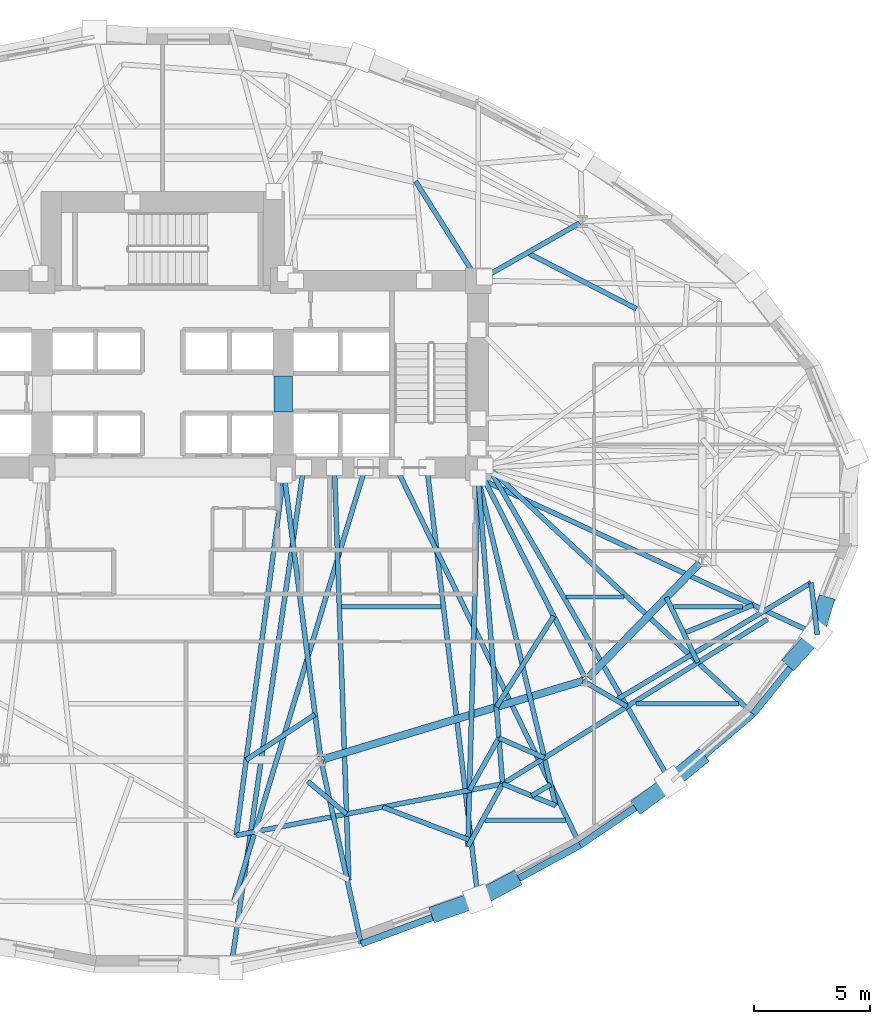
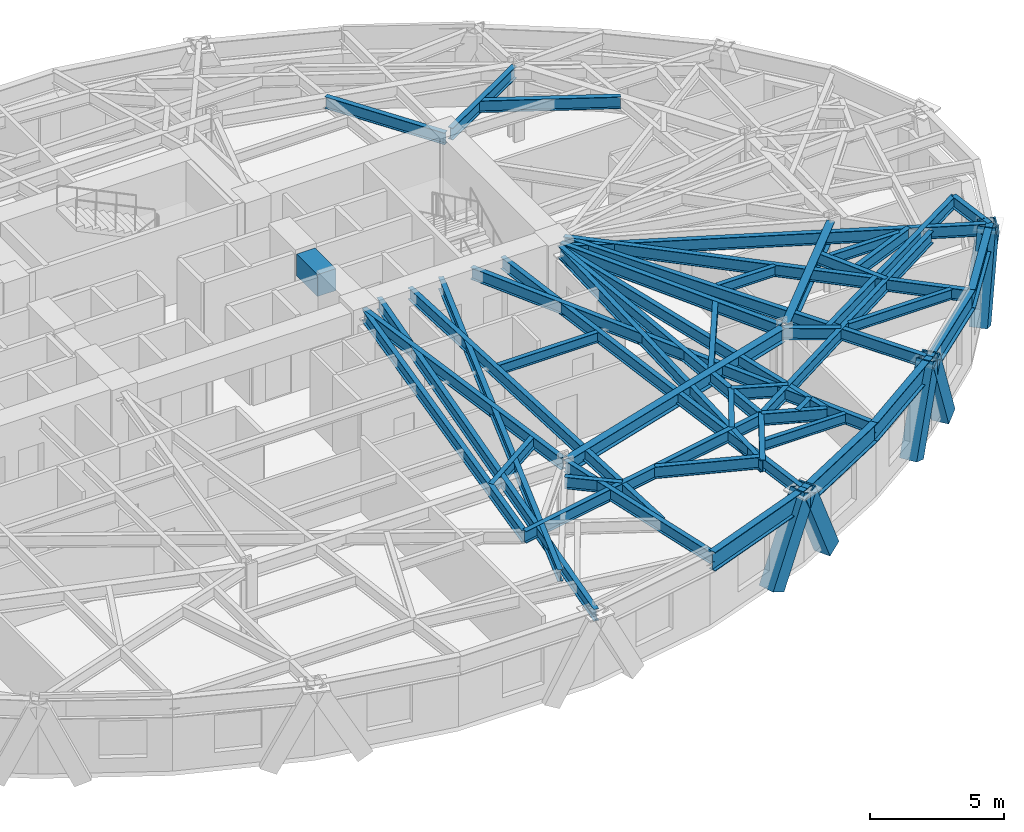
# One storey, part 3 of 14: 47 beams, 6 members.
"""IFC4 building model written with IfcOpenShell, lengths in metres."""

from ifc_helpers import new_model, si_unit, direction, frame, origin, origin_2d, place, context, subcontext, project, spatial, rectangle, hollow_rectangle, i_section, extrude, material, material_profile, profile_set, type_object, element, save


model = new_model("IFC4")

# Units and contexts
model_context = context("Model", 3, precision=1e-05, world=origin(), true_north=direction((0.0, 1.0)))
body_context = subcontext(model_context, "Body", "Model", "MODEL_VIEW")
ifc_project = project(units=[si_unit("LENGTHUNIT", "METRE"), si_unit("AREAUNIT", "SQUARE_METRE"), si_unit("VOLUMEUNIT", "CUBIC_METRE"), si_unit("PLANEANGLEUNIT", "RADIAN"), si_unit("MASSUNIT", "GRAM", prefix="KILO")], contexts=[model_context])

# Site, building, storey
site_placement = place(None, origin())
site = spatial("IfcSite", under=ifc_project, at=site_placement, CompositionType="ELEMENT")
building_placement = place(site_placement, origin())
building = spatial("IfcBuilding", under=site, at=building_placement, Name="Keldmark Tower", CompositionType="ELEMENT")
storey_placement = place(building_placement, frame((0.0, 0.0, 66.60009765625)))
storey = spatial("IfcBuildingStorey", under=building, at=storey_placement, Name="L17", CompositionType="ELEMENT", Elevation=66.60009765625)

# Beams
ifc_material_1 = material(Name="Steel ASTM A992 Grade 50", Category="steel")
ifc_material_profile_1 = material_profile(ifc_material_1, i_section(OverallWidth=0.19091796875, OverallDepth=0.45703125, WebThickness=0.009033203125, FlangeThickness=0.014404296875, at=origin_2d()), Name="W18X50")
ifc_profile_set_1 = profile_set([ifc_material_profile_1], Name="Steel ASTM A992 Grade 50")
beam_type_1 = type_object("IfcBeamType", Name="Composite Floor Joist W18X50", PredefinedType="JOIST", material=ifc_profile_set_1)
beam_1_placement = place(storey_placement, frame((13.89794921875, -13.800048828125, 3.17138671875), z_axis=(1.0, 0.0, 0.0), x_axis=(0.0, 1.0, 0.0)))
element("IfcBeam", 1, at=beam_1_placement, inside=storey, type_object=beam_type_1, Name="L17 Composite Floor Joist J03", PredefinedType="JOIST", context=body_context, shape_type="SweptSolid", body=[
    extrude(i_section(OverallWidth=0.19091796875, OverallDepth=0.45703125, WebThickness=0.009033203125, FlangeThickness=0.014404296875, at=origin_2d()), origin(), (0.0, 0.0, 1.0), 3.4716796875),
])
beam_2_placement = place(storey_placement, frame((20.404296875, -8.780029296875, 3.17138671875), z_axis=(1.0, 0.0, 0.0), x_axis=(0.0, 1.0, 0.0)))
element("IfcBeam", 2, at=beam_2_placement, inside=storey, type_object=beam_type_1, Name="L17 Composite Floor Joist J05", PredefinedType="JOIST", context=body_context, shape_type="SweptSolid", body=[
    extrude(i_section(OverallWidth=0.19091796875, OverallDepth=0.45703125, WebThickness=0.009033203125, FlangeThickness=0.014404296875, at=origin_2d()), origin(), (0.0, 0.0, 1.0), 4.42919921875),
])
beam_3_placement = place(storey_placement, frame((7.71240234375, -4.60009765625, 3.17138671875), z_axis=(1.0, 0.0, 0.0), x_axis=(0.0, 1.0, 0.0)))
element("IfcBeam", 3, at=beam_3_placement, inside=storey, type_object=beam_type_1, Name="L17 Composite Floor Joist J11", PredefinedType="JOIST", context=body_context, shape_type="SweptSolid", body=[
    extrude(i_section(OverallWidth=0.19091796875, OverallDepth=0.45703125, WebThickness=0.009033203125, FlangeThickness=0.014404296875, at=origin_2d()), origin(), (0.0, 0.0, 1.0), 4.29541015625),
])
beam_4_placement = place(storey_placement, frame((17.394775390625, -4.179931640625, 3.17138671875), z_axis=(1.0, 0.0, 0.0), x_axis=(0.0, 1.0, 0.0)))
element("IfcBeam", 4, at=beam_4_placement, inside=storey, type_object=beam_type_1, Name="L17 Composite Floor Joist J12", PredefinedType="JOIST", context=body_context, shape_type="SweptSolid", body=[
    extrude(i_section(OverallWidth=0.19091796875, OverallDepth=0.45703125, WebThickness=0.009033203125, FlangeThickness=0.014404296875, at=origin_2d()), origin(), (0.0, 0.0, 1.0), 2.501220703125),
])
beam_5_placement = place(storey_placement, frame((22.01708984375, -4.60009765625, 3.17138671875), z_axis=(1.0, 0.0, 0.0), x_axis=(0.0, 1.0, 0.0)))
element("IfcBeam", 5, at=beam_5_placement, inside=storey, type_object=beam_type_1, Name="L17 Composite Floor Joist J13", PredefinedType="JOIST", context=body_context, shape_type="SweptSolid", body=[
    extrude(i_section(OverallWidth=0.19091796875, OverallDepth=0.45703125, WebThickness=0.009033203125, FlangeThickness=0.014404296875, at=origin_2d()), origin(), (0.0, 0.0, 1.0), 2.98681640625),
])
ifc_material_2 = material(Name="Concrete C70/85", Category="concrete")
ifc_material_profile_2 = material_profile(ifc_material_2, rectangle(XDim=0.800048828125, YDim=1.0, at=origin_2d()), Name="RCB800X1000")
ifc_profile_set_2 = profile_set([ifc_material_profile_2], Name="Concrete C70/85")
beam_type_2 = type_object("IfcBeamType", Name="Core Coupling Beam RCB800X1000", PredefinedType="USERDEFINED", material=ifc_profile_set_2)
beam_6_placement = place(storey_placement, frame((5.199951171875, 3.800048828125, 2.89990234375), z_axis=(0.0, 1.0, 0.0), x_axis=(-1.0, 0.0, 0.0)))
element("IfcBeam", 6, at=beam_6_placement, inside=storey, type_object=beam_type_2, Name="L17 East Core Coupling Beam", ObjectType="COUPLING BEAM", PredefinedType="USERDEFINED", context=body_context, shape_type="SweptSolid", body=[
    extrude(rectangle(XDim=0.800048828125, YDim=1.0, at=origin_2d()), origin(), (0.0, 0.0, 1.0), 1.550048828125),
])

# Members
ifc_material_3 = material(Name="Steel ASTM A572 Grade 50", Category="steel")
ifc_material_profile_3 = material_profile(ifc_material_3, hollow_rectangle(XDim=0.699951171875, YDim=0.699951171875, WallThickness=0.054931640625, at=origin_2d()), Name="BOX700X700X55")
ifc_profile_set_3 = profile_set([ifc_material_profile_3], Name="Steel ASTM A572 Grade 50")
member_type = type_object("IfcMemberType", Name="Diagrid Zone 1 Brace BOX700X700X55", PredefinedType="BRACE", material=ifc_profile_set_3)
member_1_placement = place(storey_placement, frame((11.890625, -17.795166015625, -0.280029296875), z_axis=(0.425806134991, 0.148383276483, 0.89256458515), x_axis=(-0.329068165057, 0.944306170024, 0.0)))
element("IfcMember", 7, at=member_1_placement, inside=storey, type_object=member_type, Name="L17 Perimeter Diagrid Brace 13B", PredefinedType="BRACE", context=body_context, shape_type="SweptSolid", body=[
    extrude(hollow_rectangle(XDim=0.699951171875, YDim=0.699951171875, WallThickness=0.054931640625, at=origin_2d()), origin(), (0.0, 0.0, 1.0), 3.98828125),
])
member_2_placement = place(storey_placement, frame((15.0546875, -16.41943359375, -0.280029296875), z_axis=(-0.375411091455, -0.200459220598, 0.90492132989), x_axis=(0.471027177386, -0.882118698455, 0.0)))
element("IfcMember", 8, at=member_2_placement, inside=storey, type_object=member_type, Name="L17 Perimeter Diagrid Brace 14A", PredefinedType="BRACE", context=body_context, shape_type="SweptSolid", body=[
    extrude(hollow_rectangle(XDim=0.699951171875, YDim=0.699951171875, WallThickness=0.054931640625, at=origin_2d()), origin(), (0.0, 0.0, 1.0), 3.933837890625),
])
member_3_placement = place(storey_placement, frame((20.639404296875, -13.082763671875, -0.280029296875), z_axis=(0.323042224597, 0.237726911294, 0.916040193864), x_axis=(-0.592707368721, 0.805417888468, 0.0)))
element("IfcMember", 9, at=member_3_placement, inside=storey, type_object=member_type, Name="L17 Perimeter Diagrid Brace 14B", PredefinedType="BRACE", context=body_context, shape_type="SweptSolid", body=[
    extrude(hollow_rectangle(XDim=0.699951171875, YDim=0.699951171875, WallThickness=0.054931640625, at=origin_2d()), origin(), (0.0, 0.0, 1.0), 3.885986328125),
])
member_4_placement = place(storey_placement, frame((23.096435546875, -11.1943359375, -0.280029296875), z_axis=(-0.311551668677, -0.250511178305, 0.916613172112), x_axis=(0.626629950785, -0.779316947576, 0.0)))
element("IfcMember", 10, at=member_4_placement, inside=storey, type_object=member_type, Name="L17 Perimeter Diagrid Brace 15A", PredefinedType="BRACE", context=body_context, shape_type="SweptSolid", body=[
    extrude(hollow_rectangle(XDim=0.699951171875, YDim=0.699951171875, WallThickness=0.054931640625, at=origin_2d()), origin(), (0.0, 0.0, 1.0), 3.883544921875),
])
member_5_placement = place(storey_placement, frame((27.160888671875, -6.898681640625, -0.280029296875), z_axis=(0.260260102073, 0.29032169115, 0.920857206583), x_axis=(-0.744605529225, 0.667504760917, 0.0)))
element("IfcMember", 11, at=member_5_placement, inside=storey, type_object=member_type, Name="L17 Perimeter Diagrid Brace 15B", PredefinedType="BRACE", context=body_context, shape_type="SweptSolid", body=[
    extrude(hollow_rectangle(XDim=0.699951171875, YDim=0.699951171875, WallThickness=0.054931640625, at=origin_2d()), origin(), (0.0, 0.0, 1.0), 3.86572265625),
])
member_6_placement = place(storey_placement, frame((28.548583984375, -4.4951171875, -0.280029296875), z_axis=(-0.101398169165, -0.339404877434, 0.935159205945), x_axis=(0.958154550657, -0.286251387866, 0.0)))
element("IfcMember", 12, at=member_6_placement, inside=storey, type_object=member_type, Name="L17 Perimeter Diagrid Brace 16A", PredefinedType="BRACE", context=body_context, shape_type="SweptSolid", body=[
    extrude(hollow_rectangle(XDim=0.699951171875, YDim=0.699951171875, WallThickness=0.054931640625, at=origin_2d()), origin(), (0.0, 0.0, 1.0), 3.806640625),
])

# Beams
ifc_material_4 = material(Name="Steel ASTM A992 Grade 50", Category="steel")
ifc_material_profile_4 = material_profile(ifc_material_4, i_section(OverallWidth=0.323974609375, OverallDepth=0.611083984375, WebThickness=0.0126953125, FlangeThickness=0.01904296875, at=origin_2d()), Name="W24X104")
ifc_profile_set_4 = profile_set([ifc_material_profile_4], Name="Steel ASTM A992 Grade 50")
beam_type_3 = type_object("IfcBeamType", Name="Primary Floor Girder W24X104", PredefinedType="BEAM", material=ifc_profile_set_4)
beam_7_placement = place(storey_placement, frame((6.9560546875, -11.165283203125, 3.094482421875), z_axis=(0.957346071406, 0.2889437654, 0.0), x_axis=(-0.2889437654, 0.957346071406, 0.0)))
element("IfcBeam", 13, at=beam_7_placement, inside=storey, type_object=beam_type_3, Name="L17 Floor Ring Girder FG-R10", PredefinedType="BEAM", context=body_context, shape_type="SweptSolid", body=[
    extrude(i_section(OverallWidth=0.323974609375, OverallDepth=0.611083984375, WebThickness=0.0126953125, FlangeThickness=0.01904296875, at=origin_2d()), origin(), (0.0, 0.0, 1.0), 11.66015625),
])
beam_8_placement = place(storey_placement, frame((18.350341796875, -7.6552734375, 3.094482421875), z_axis=(0.697210382268, 0.716866572563, 0.0), x_axis=(-0.716866572563, 0.697210382268, 0.0)))
element("IfcBeam", 14, at=beam_8_placement, inside=storey, type_object=beam_type_3, Name="L17 Floor Ring Girder FG-R11", PredefinedType="BEAM", context=body_context, shape_type="SweptSolid", body=[
    extrude(i_section(OverallWidth=0.323974609375, OverallDepth=0.611083984375, WebThickness=0.0126953125, FlangeThickness=0.01904296875, at=origin_2d()), origin(), (0.0, 0.0, 1.0), 6.893310546875),
])
ifc_material_5 = material(Name="Steel ASTM A992 Grade 50", Category="steel")
ifc_material_profile_5 = material_profile(ifc_material_5, i_section(OverallWidth=0.2099609375, OverallDepth=0.537109375, WebThickness=0.010986328125, FlangeThickness=0.017333984375, at=origin_2d()), Name="W21X68")
ifc_profile_set_5 = profile_set([ifc_material_profile_5], Name="Steel ASTM A992 Grade 50")
beam_type_4 = type_object("IfcBeamType", Name="Radial Tie Girder W21X68", PredefinedType="BEAM", material=ifc_profile_set_5)
beam_9_placement = place(storey_placement, frame((15.72216796875, 10.65673828125, 3.13134765625), z_axis=(0.889818904919, -0.456313835477, 0.0), x_axis=(0.456313835477, 0.889818904919, 0.0)))
element("IfcBeam", 15, at=beam_9_placement, inside=storey, type_object=beam_type_4, Name="L17 Framing Pin Header PH-001", PredefinedType="BEAM", context=body_context, shape_type="SweptSolid", body=[
    extrude(i_section(OverallWidth=0.2099609375, OverallDepth=0.537109375, WebThickness=0.010986328125, FlangeThickness=0.017333984375, at=origin_2d()), origin(), (0.0, 0.0, 1.0), 5.28759765625),
])
beam_10_placement = place(storey_placement, frame((13.60009765625, 9.449951171875, 3.13134765625), z_axis=(-0.531973121916, 0.846761239995, 0.0), x_axis=(-0.846761239995, -0.531973121916, 0.0)))
element("IfcBeam", 16, at=beam_10_placement, inside=storey, type_object=beam_type_4, Name="L17 Framing Pin Header PH-002", PredefinedType="BEAM", context=body_context, shape_type="SweptSolid", body=[
    extrude(i_section(OverallWidth=0.2099609375, OverallDepth=0.537109375, WebThickness=0.010986328125, FlangeThickness=0.017333984375, at=origin_2d()), origin(), (0.0, 0.0, 1.0), 5.065185546875),
])
beam_11_placement = place(storey_placement, frame((6.569580078125, -9.24462890625, 3.13134765625), z_axis=(-0.834334193424, -0.551258971523, 0.0), x_axis=(0.551258971523, -0.834334193424, 0.0)))
element("IfcBeam", 17, at=beam_11_placement, inside=storey, type_object=beam_type_4, Name="L17 Framing Pin Header PH-009", PredefinedType="BEAM", context=body_context, shape_type="SweptSolid", body=[
    extrude(i_section(OverallWidth=0.2099609375, OverallDepth=0.537109375, WebThickness=0.010986328125, FlangeThickness=0.017333984375, at=origin_2d()), origin(), (0.0, 0.0, 1.0), 3.5576171875),
])
beam_12_placement = place(storey_placement, frame((5.199951171875, 0.949951171875, 3.13134765625), z_axis=(-0.130394359433, -0.991462208573, 0.0), x_axis=(0.991462208573, -0.130394359433, 0.0)))
element("IfcBeam", 18, at=beam_12_placement, inside=storey, type_object=beam_type_4, Name="L17 Sub-Ring Step Girder STP2-M10", PredefinedType="BEAM", context=body_context, shape_type="SweptSolid", body=[
    extrude(i_section(OverallWidth=0.2099609375, OverallDepth=0.537109375, WebThickness=0.010986328125, FlangeThickness=0.017333984375, at=origin_2d()), origin(), (0.0, 0.0, 1.0), 15.538330078125),
])
beam_13_placement = place(storey_placement, frame((16.856201171875, -5.007080078125, 3.13134765625), z_axis=(-0.533111307923, -0.846045113079, 0.0), x_axis=(0.846045113079, -0.533111307923, 0.0)))
element("IfcBeam", 19, at=beam_13_placement, inside=storey, type_object=beam_type_4, Name="L17 Framing Pin Header PH-010", PredefinedType="BEAM", context=body_context, shape_type="SweptSolid", body=[
    extrude(i_section(OverallWidth=0.2099609375, OverallDepth=0.537109375, WebThickness=0.010986328125, FlangeThickness=0.017333984375, at=origin_2d()), origin(), (0.0, 0.0, 1.0), 4.627197265625),
])
beam_14_placement = place(storey_placement, frame((13.60009765625, 0.949951171875, 3.13134765625), z_axis=(0.079690941219, -0.996819619534, 0.0), x_axis=(0.996819619534, 0.079690941219, 0.0)))
element("IfcBeam", 20, at=beam_14_placement, inside=storey, type_object=beam_type_4, Name="L17 Sub-Ring Step Girder STP2-M11", PredefinedType="BEAM", context=body_context, shape_type="SweptSolid", body=[
    extrude(i_section(OverallWidth=0.2099609375, OverallDepth=0.537109375, WebThickness=0.010986328125, FlangeThickness=0.017333984375, at=origin_2d()), origin(), (0.0, 0.0, 1.0), 13.228515625),
])
beam_15_placement = place(storey_placement, frame((3.173828125, -14.455810546875, 3.13134765625), z_axis=(0.981824304592, 0.189792083377, 0.0), x_axis=(-0.189792083377, 0.981824304592, 0.0)))
element("IfcBeam", 21, at=beam_15_placement, inside=storey, type_object=beam_type_4, Name="L17 Perimeter Collector Ring Beam CRG2-M10", PredefinedType="BEAM", context=body_context, shape_type="SweptSolid", body=[
    extrude(i_section(OverallWidth=0.2099609375, OverallDepth=0.537109375, WebThickness=0.010986328125, FlangeThickness=0.017333984375, at=origin_2d()), origin(), (0.0, 0.0, 1.0), 11.693115234375),
])
beam_16_placement = place(storey_placement, frame((14.654296875, -12.236572265625, 3.13134765625), z_axis=(0.849420028838, 0.527717362428, 0.0), x_axis=(-0.527717362428, 0.849420028838, 0.0)))
element("IfcBeam", 22, at=beam_16_placement, inside=storey, type_object=beam_type_4, Name="L17 Perimeter Collector Ring Beam CRG2-M11", PredefinedType="BEAM", context=body_context, shape_type="SweptSolid", body=[
    extrude(i_section(OverallWidth=0.2099609375, OverallDepth=0.537109375, WebThickness=0.010986328125, FlangeThickness=0.017333984375, at=origin_2d()), origin(), (0.0, 0.0, 1.0), 13.438720703125),
])
beam_17_placement = place(storey_placement, frame((8.735595703125, 1.39990234375, 3.13134765625), z_axis=(-0.289989750334, -0.95702975121, 0.0), x_axis=(0.95702975121, -0.289989750334, 0.0)))
element("IfcBeam", 23, at=beam_17_placement, inside=storey, type_object=beam_type_4, Name="L17 Intermediate Radial Step Girder RT-25M", PredefinedType="BEAM", context=body_context, shape_type="SweptSolid", body=[
    extrude(i_section(OverallWidth=0.2099609375, OverallDepth=0.537109375, WebThickness=0.010986328125, FlangeThickness=0.017333984375, at=origin_2d()), origin(), (0.0, 0.0, 1.0), 19.5849609375),
])
beam_18_placement = place(storey_placement, frame((6.257080078125, -12.12646484375, 3.13134765625), z_axis=(0.764207218118, -0.644970796065, 0.0), x_axis=(0.644970796065, 0.764207218118, 0.0)))
element("IfcBeam", 24, at=beam_18_placement, inside=storey, type_object=beam_type_4, Name="L17 Framing Pin Header PH-035", PredefinedType="BEAM", context=body_context, shape_type="SweptSolid", body=[
    extrude(i_section(OverallWidth=0.2099609375, OverallDepth=0.537109375, WebThickness=0.010986328125, FlangeThickness=0.017333984375, at=origin_2d()), origin(), (0.0, 0.0, 1.0), 2.186767578125),
])
beam_19_placement = place(storey_placement, frame((7.406982421875, 1.39990234375, 3.13134765625), z_axis=(0.034873992059, -0.999391717335, 0.0), x_axis=(0.999391717335, 0.034873992059, 0.0)))
element("IfcBeam", 25, at=beam_19_placement, inside=storey, type_object=beam_type_4, Name="L17 Intermediate Radial Step Girder RT-26M", PredefinedType="BEAM", context=body_context, shape_type="SweptSolid", body=[
    extrude(i_section(OverallWidth=0.2099609375, OverallDepth=0.537109375, WebThickness=0.010986328125, FlangeThickness=0.017333984375, at=origin_2d()), origin(), (0.0, 0.0, 1.0), 17.78857421875),
])
beam_20_placement = place(storey_placement, frame((6.822021484375, -11.205810546875, 3.13134765625), z_axis=(0.214133658985, -0.976804369406, 0.0), x_axis=(0.976804369406, 0.214133658985, 0.0)))
element("IfcBeam", 26, at=beam_20_placement, inside=storey, type_object=beam_type_4, Name="L17 Perimeter Radial Tie Girder RT-26", PredefinedType="BEAM", context=body_context, shape_type="SweptSolid", body=[
    extrude(i_section(OverallWidth=0.2099609375, OverallDepth=0.537109375, WebThickness=0.010986328125, FlangeThickness=0.017333984375, at=origin_2d()), origin(), (0.0, 0.0, 1.0), 8.11767578125),
])
beam_21_placement = place(storey_placement, frame((14.49609375, -10.258544921875, 3.13134765625), z_axis=(-0.49125513308, -0.871015725588, 0.0), x_axis=(0.871015725588, -0.49125513308, 0.0)))
element("IfcBeam", 27, at=beam_21_placement, inside=storey, type_object=beam_type_4, Name="L17 Framing Pin Header PH-036", PredefinedType="BEAM", context=body_context, shape_type="SweptSolid", body=[
    extrude(i_section(OverallWidth=0.2099609375, OverallDepth=0.537109375, WebThickness=0.010986328125, FlangeThickness=0.017333984375, at=origin_2d()), origin(), (0.0, 0.0, 1.0), 2.588134765625),
])
beam_22_placement = place(storey_placement, frame((13.60009765625, 0.949951171875, 3.13134765625), z_axis=(-0.027881337603, -0.99961123994, 0.0), x_axis=(0.99961123994, -0.027881337603, 0.0)))
element("IfcBeam", 28, at=beam_22_placement, inside=storey, type_object=beam_type_4, Name="L17 Intermediate Radial Step Girder RT-27M", PredefinedType="BEAM", context=body_context, shape_type="SweptSolid", body=[
    extrude(i_section(OverallWidth=0.2099609375, OverallDepth=0.537109375, WebThickness=0.010986328125, FlangeThickness=0.017333984375, at=origin_2d()), origin(), (0.0, 0.0, 1.0), 15.892822265625),
])
beam_23_placement = place(storey_placement, frame((14.654296875, -12.236572265625, 3.13134765625), z_axis=(-0.484951268369, -0.874541175307, 0.0), x_axis=(0.874541175307, -0.484951268369, 0.0)))
element("IfcBeam", 29, at=beam_23_placement, inside=storey, type_object=beam_type_4, Name="L17 Local Collector Chord RT-27C", PredefinedType="BEAM", context=body_context, shape_type="SweptSolid", body=[
    extrude(i_section(OverallWidth=0.2099609375, OverallDepth=0.537109375, WebThickness=0.010986328125, FlangeThickness=0.017333984375, at=origin_2d()), origin(), (0.0, 0.0, 1.0), 3.087646484375),
])
beam_24_placement = place(storey_placement, frame((9.488037109375, -13.2353515625, 3.13134765625), z_axis=(0.935187098838, -0.354154048638, 0.0), x_axis=(0.354154048638, 0.935187098838, 0.0)))
element("IfcBeam", 30, at=beam_24_placement, inside=storey, type_object=beam_type_4, Name="L17 Framing Pin Header PH-037", PredefinedType="BEAM", context=body_context, shape_type="SweptSolid", body=[
    extrude(i_section(OverallWidth=0.2099609375, OverallDepth=0.537109375, WebThickness=0.010986328125, FlangeThickness=0.017333984375, at=origin_2d()), origin(), (0.0, 0.0, 1.0), 4.076171875),
])
beam_25_placement = place(storey_placement, frame((11.392822265625, 1.39990234375, 3.13134765625), z_axis=(0.117786470424, -0.993038945553, 0.0), x_axis=(0.993038945553, 0.117786470424, 0.0)))
element("IfcBeam", 31, at=beam_25_placement, inside=storey, type_object=beam_type_4, Name="L17 Perimeter Radial Tie Girder RT-27", PredefinedType="BEAM", context=body_context, shape_type="SweptSolid", body=[
    extrude(i_section(OverallWidth=0.2099609375, OverallDepth=0.537109375, WebThickness=0.010986328125, FlangeThickness=0.017333984375, at=origin_2d()), origin(), (0.0, 0.0, 1.0), 18.79150390625),
])
beam_26_placement = place(storey_placement, frame((14.49609375, -10.258544921875, 3.13134765625), z_axis=(0.916097110502, -0.400956461638, 0.0), x_axis=(0.400956461638, 0.916097110502, 0.0)))
element("IfcBeam", 32, at=beam_26_placement, inside=storey, type_object=beam_type_4, Name="L17 Framing Pin Header PH-038", PredefinedType="BEAM", context=body_context, shape_type="SweptSolid", body=[
    extrude(i_section(OverallWidth=0.2099609375, OverallDepth=0.537109375, WebThickness=0.010986328125, FlangeThickness=0.017333984375, at=origin_2d()), origin(), (0.0, 0.0, 1.0), 2.140380859375),
])
beam_27_placement = place(storey_placement, frame((13.60009765625, 0.949951171875, 3.13134765625), z_axis=(0.230380026384, -0.973100736534, 0.0), x_axis=(0.973100736534, 0.230380026384, 0.0)))
element("IfcBeam", 33, at=beam_27_placement, inside=storey, type_object=beam_type_4, Name="L17 Intermediate Radial Step Girder RT-28M", PredefinedType="BEAM", context=body_context, shape_type="SweptSolid", body=[
    extrude(i_section(OverallWidth=0.2099609375, OverallDepth=0.537109375, WebThickness=0.010986328125, FlangeThickness=0.017333984375, at=origin_2d()), origin(), (0.0, 0.0, 1.0), 14.511962890625),
])
beam_28_placement = place(storey_placement, frame((14.654296875, -12.236572265625, 3.13134765625), z_axis=(0.925741857426, -0.378156070173, 0.0), x_axis=(0.378156070173, 0.925741857426, 0.0)))
element("IfcBeam", 34, at=beam_28_placement, inside=storey, type_object=beam_type_4, Name="L17 Local Collector Chord RT-28C", PredefinedType="BEAM", context=body_context, shape_type="SweptSolid", body=[
    extrude(i_section(OverallWidth=0.2099609375, OverallDepth=0.537109375, WebThickness=0.010986328125, FlangeThickness=0.017333984375, at=origin_2d()), origin(), (0.0, 0.0, 1.0), 2.47265625),
])
beam_29_placement = place(storey_placement, frame((15.9130859375, -12.750732421875, 3.13134765625), z_axis=(0.859664129124, 0.510859653034, 0.0), x_axis=(-0.510859653034, 0.859664129124, 0.0)))
element("IfcBeam", 35, at=beam_29_placement, inside=storey, type_object=beam_type_4, Name="L17 Framing Pin Header PH-039", PredefinedType="BEAM", context=body_context, shape_type="SweptSolid", body=[
    extrude(i_section(OverallWidth=0.2099609375, OverallDepth=0.537109375, WebThickness=0.010986328125, FlangeThickness=0.017333984375, at=origin_2d()), origin(), (0.0, 0.0, 1.0), 0.94921875),
])
beam_30_placement = place(storey_placement, frame((10.064208984375, 1.39990234375, 3.13134765625), z_axis=(0.438339938264, -0.898809267043, 0.0), x_axis=(0.898809267043, 0.438339938264, 0.0)))
element("IfcBeam", 36, at=beam_30_placement, inside=storey, type_object=beam_type_4, Name="L17 Perimeter Radial Tie Girder RT-28", PredefinedType="BEAM", context=body_context, shape_type="SweptSolid", body=[
    extrude(i_section(OverallWidth=0.2099609375, OverallDepth=0.537109375, WebThickness=0.010986328125, FlangeThickness=0.017333984375, at=origin_2d()), origin(), (0.0, 0.0, 1.0), 18.104248046875),
])
beam_31_placement = place(storey_placement, frame((18.118896484375, -7.796142578125, 3.13134765625), z_axis=(0.864108787506, -0.503305079802, 0.0), x_axis=(0.503305079802, 0.864108787506, 0.0)))
element("IfcBeam", 37, at=beam_31_placement, inside=storey, type_object=beam_type_4, Name="L17 Framing Pin Header PH-040", PredefinedType="BEAM", context=body_context, shape_type="SweptSolid", body=[
    extrude(i_section(OverallWidth=0.2099609375, OverallDepth=0.537109375, WebThickness=0.010986328125, FlangeThickness=0.017333984375, at=origin_2d()), origin(), (0.0, 0.0, 1.0), 2.19970703125),
])
beam_32_placement = place(storey_placement, frame((14.050048828125, 1.39990234375, 3.13134765625), z_axis=(0.501326965741, -0.865257923062, 0.0), x_axis=(0.865257923062, 0.501326965741, 0.0)))
element("IfcBeam", 38, at=beam_32_placement, inside=storey, type_object=beam_type_4, Name="L17 Perimeter Radial Tie Girder RT-29", PredefinedType="BEAM", context=body_context, shape_type="SweptSolid", body=[
    extrude(i_section(OverallWidth=0.2099609375, OverallDepth=0.537109375, WebThickness=0.010986328125, FlangeThickness=0.017333984375, at=origin_2d()), origin(), (0.0, 0.0, 1.0), 15.723876953125),
])
beam_33_placement = place(storey_placement, frame((21.714599609375, -4.196044921875, 3.13134765625), z_axis=(0.435190851691, -0.900338226782, 0.0), x_axis=(0.900338226782, 0.435190851691, 0.0)))
element("IfcBeam", 39, at=beam_33_placement, inside=storey, type_object=beam_type_4, Name="L17 Framing Pin Header PH-041", PredefinedType="BEAM", context=body_context, shape_type="SweptSolid", body=[
    extrude(i_section(OverallWidth=0.2099609375, OverallDepth=0.537109375, WebThickness=0.010986328125, FlangeThickness=0.017333984375, at=origin_2d()), origin(), (0.0, 0.0, 1.0), 3.121337890625),
])
beam_34_placement = place(storey_placement, frame((14.050048828125, 1.39990234375, 3.13134765625), z_axis=(0.731668495414, -0.681660628773, 0.0), x_axis=(0.681660628773, 0.731668495414, 0.0)))
element("IfcBeam", 40, at=beam_34_placement, inside=storey, type_object=beam_type_4, Name="L17 Perimeter Radial Tie Girder RT-30", PredefinedType="BEAM", context=body_context, shape_type="SweptSolid", body=[
    extrude(i_section(OverallWidth=0.2099609375, OverallDepth=0.537109375, WebThickness=0.010986328125, FlangeThickness=0.017333984375, at=origin_2d()), origin(), (0.0, 0.0, 1.0), 15.58837890625),
])
beam_35_placement = place(storey_placement, frame((22.461669921875, -5.74169921875, 3.13134765625), z_axis=(0.926221538828, 0.376979655965, 0.0), x_axis=(-0.376979655965, 0.926221538828, 0.0)))
element("IfcBeam", 41, at=beam_35_placement, inside=storey, type_object=beam_type_4, Name="L17 Framing Pin Header PH-042", PredefinedType="BEAM", context=body_context, shape_type="SweptSolid", body=[
    extrude(i_section(OverallWidth=0.2099609375, OverallDepth=0.537109375, WebThickness=0.010986328125, FlangeThickness=0.017333984375, at=origin_2d()), origin(), (0.0, 0.0, 1.0), 3.22705078125),
])
beam_36_placement = place(storey_placement, frame((13.60009765625, 0.949951171875, 3.13134765625), z_axis=(0.907793816784, -0.419416721423, 0.0), x_axis=(0.419416721423, 0.907793816784, 0.0)))
element("IfcBeam", 42, at=beam_36_placement, inside=storey, type_object=beam_type_4, Name="L17 Perimeter Radial Tie Girder RT-31", PredefinedType="BEAM", context=body_context, shape_type="SweptSolid", body=[
    extrude(i_section(OverallWidth=0.2099609375, OverallDepth=0.537109375, WebThickness=0.010986328125, FlangeThickness=0.017333984375, at=origin_2d()), origin(), (0.0, 0.0, 1.0), 16.104736328125),
])
beam_37_placement = place(storey_placement, frame((19.54443359375, -8.62646484375, 3.13134765625), z_axis=(0.856903983817, 0.515476054262, 0.0), x_axis=(-0.515476054262, 0.856903983817, 0.0)))
element("IfcBeam", 43, at=beam_37_placement, inside=storey, type_object=beam_type_4, Name="L17 Intermediate Radial Step Girder RT-32M", PredefinedType="BEAM", context=body_context, shape_type="SweptSolid", body=[
    extrude(i_section(OverallWidth=0.2099609375, OverallDepth=0.537109375, WebThickness=0.010986328125, FlangeThickness=0.017333984375, at=origin_2d()), origin(), (0.0, 0.0, 1.0), 9.81201171875),
])
beam_38_placement = place(storey_placement, frame((28.219970703125, -5.8046875, 3.13134765625), z_axis=(-0.118816054832, 0.992916283034, 0.0), x_axis=(-0.992916283034, -0.118816054832, 0.0)))
element("IfcBeam", 44, at=beam_38_placement, inside=storey, type_object=beam_type_4, Name="L17 Local Collector Chord RT-32C", PredefinedType="BEAM", context=body_context, shape_type="SweptSolid", body=[
    extrude(i_section(OverallWidth=0.2099609375, OverallDepth=0.537109375, WebThickness=0.010986328125, FlangeThickness=0.017333984375, at=origin_2d()), origin(), (0.0, 0.0, 1.0), 2.251953125),
])
beam_39_placement = place(storey_placement, frame((6.07861328125, 1.39990234375, 3.13134765625), z_axis=(-0.143654051251, -0.989627967248, 0.0), x_axis=(0.989627967248, -0.143654051251, 0.0)))
element("IfcBeam", 45, at=beam_39_placement, inside=storey, type_object=beam_type_4, Name="L17 Perimeter Radial Tie Girder RT-25R", PredefinedType="BEAM", context=body_context, shape_type="SweptSolid", body=[
    extrude(i_section(OverallWidth=0.2099609375, OverallDepth=0.537109375, WebThickness=0.010986328125, FlangeThickness=0.017333984375, at=origin_2d()), origin(), (0.0, 0.0, 1.0), 21.857421875),
])
ifc_material_6 = material(Name="Steel ASTM A992 Grade 50", Category="steel")
ifc_material_profile_6 = material_profile(ifc_material_6, i_section(OverallWidth=0.214111328125, OverallDepth=0.549072265625, WebThickness=0.0146484375, FlangeThickness=0.023681640625, at=origin_2d()), Name="W21X93")
ifc_profile_set_6 = profile_set([ifc_material_profile_6], Name="Steel ASTM A992 Grade 50")
beam_type_5 = type_object("IfcBeamType", Name="Radial Tie Girder W21X93", PredefinedType="BEAM", material=ifc_profile_set_6)
beam_40_placement = place(storey_placement, frame((17.97607421875, 11.938232421875, 3.12548828125), z_axis=(-0.869299282131, -0.494286109542, 0.0), x_axis=(0.494286109542, -0.869299282131, 0.0)))
element("IfcBeam", 46, at=beam_40_placement, inside=storey, type_object=beam_type_5, Name="L17 Floor Radial Girder FG-C02", PredefinedType="BEAM", context=body_context, shape_type="SweptSolid", body=[
    extrude(i_section(OverallWidth=0.214111328125, OverallDepth=0.549072265625, WebThickness=0.0146484375, FlangeThickness=0.023681640625, at=origin_2d()), origin(), (0.0, 0.0, 1.0), 4.714111328125),
])
beam_41_placement = place(storey_placement, frame((6.80419921875, -11.06689453125, 3.12548828125), z_axis=(-0.127634898593, 0.99182122011, 0.0), x_axis=(-0.99182122011, -0.127634898593, 0.0)))
element("IfcBeam", 47, at=beam_41_placement, inside=storey, type_object=beam_type_5, Name="L17 Floor Radial Girder FG-C10", PredefinedType="BEAM", context=body_context, shape_type="SweptSolid", body=[
    extrude(i_section(OverallWidth=0.214111328125, OverallDepth=0.549072265625, WebThickness=0.0146484375, FlangeThickness=0.023681640625, at=origin_2d()), origin(), (0.0, 0.0, 1.0), 12.24951171875),
])
beam_42_placement = place(storey_placement, frame((18.189453125, -7.630859375, 3.12548828125), z_axis=(-0.453037526986, 0.891491446478, 0.0), x_axis=(-0.891491446478, -0.453037526986, 0.0)))
element("IfcBeam", 48, at=beam_42_placement, inside=storey, type_object=beam_type_5, Name="L17 Floor Radial Girder FG-C11", PredefinedType="BEAM", context=body_context, shape_type="SweptSolid", body=[
    extrude(i_section(OverallWidth=0.214111328125, OverallDepth=0.549072265625, WebThickness=0.0146484375, FlangeThickness=0.023681640625, at=origin_2d()), origin(), (0.0, 0.0, 1.0), 9.81005859375),
])
ifc_material_7 = material(Name="Steel ASTM A992 Grade 50", Category="steel")
ifc_material_profile_7 = material_profile(ifc_material_7, i_section(OverallWidth=0.2919921875, OverallDepth=0.85888671875, WebThickness=0.01708984375, FlangeThickness=0.031005859375, at=origin_2d()), Name="W33X169")
ifc_profile_set_7 = profile_set([ifc_material_profile_7], Name="Steel ASTM A992 Grade 50")
beam_type_6 = type_object("IfcBeamType", Name="Spandrel Ring Beam W33X169", PredefinedType="SPANDREL", material=ifc_profile_set_7)
beam_43_placement = place(storey_placement, frame((8.560302734375, -19.13525390625, 2.970458984375), z_axis=(0.937405813917, 0.348238912292, 0.0), x_axis=(-0.348238912292, 0.937405813917, 0.0)))
element("IfcBeam", 49, at=beam_43_placement, inside=storey, type_object=beam_type_6, Name="L17 Perimeter Spandrel Ring Beam SRB-26", PredefinedType="SPANDREL", context=body_context, shape_type="SweptSolid", body=[
    extrude(i_section(OverallWidth=0.2919921875, OverallDepth=0.85888671875, WebThickness=0.01708984375, FlangeThickness=0.031005859375, at=origin_2d()), origin(), (0.0, 0.0, 1.0), 5.3828125),
])
beam_44_placement = place(storey_placement, frame((13.606201171875, -17.2607421875, 2.970458984375), z_axis=(0.878583097087, 0.477589511519, 0.0), x_axis=(-0.477589511519, 0.878583097087, 0.0)))
element("IfcBeam", 50, at=beam_44_placement, inside=storey, type_object=beam_type_6, Name="L17 Perimeter Spandrel Ring Beam SRB-27", PredefinedType="SPANDREL", context=body_context, shape_type="SweptSolid", body=[
    extrude(i_section(OverallWidth=0.2919921875, OverallDepth=0.85888671875, WebThickness=0.01708984375, FlangeThickness=0.031005859375, at=origin_2d()), origin(), (0.0, 0.0, 1.0), 5.0009765625),
])
beam_45_placement = place(storey_placement, frame((18.0, -14.872314453125, 2.970458984375), z_axis=(0.827645395623, 0.561251368911, 0.0), x_axis=(-0.561251368911, 0.827645395623, 0.0)))
element("IfcBeam", 51, at=beam_45_placement, inside=storey, type_object=beam_type_6, Name="L17 Perimeter Spandrel Ring Beam SRB-28", PredefinedType="SPANDREL", context=body_context, shape_type="SweptSolid", body=[
    extrude(i_section(OverallWidth=0.2919921875, OverallDepth=0.85888671875, WebThickness=0.01708984375, FlangeThickness=0.031005859375, at=origin_2d()), origin(), (0.0, 0.0, 1.0), 4.751953125),
])
beam_46_placement = place(storey_placement, frame((21.932861328125, -12.205322265625, 2.970458984375), z_axis=(0.763546839071, 0.645752448346, 0.0), x_axis=(-0.645752448346, 0.763546839071, 0.0)))
element("IfcBeam", 52, at=beam_46_placement, inside=storey, type_object=beam_type_6, Name="L17 Perimeter Spandrel Ring Beam SRB-29", PredefinedType="SPANDREL", context=body_context, shape_type="SweptSolid", body=[
    extrude(i_section(OverallWidth=0.2919921875, OverallDepth=0.85888671875, WebThickness=0.01708984375, FlangeThickness=0.031005859375, at=origin_2d()), origin(), (0.0, 0.0, 1.0), 4.613525390625),
])
beam_47_placement = place(storey_placement, frame((25.45556640625, -9.22607421875, 2.970458984375), z_axis=(0.628471460058, 0.77783264517, 0.0), x_axis=(-0.77783264517, 0.628471460058, 0.0)))
element("IfcBeam", 53, at=beam_47_placement, inside=storey, type_object=beam_type_6, Name="L17 Perimeter Spandrel Ring Beam SRB-30", PredefinedType="SPANDREL", context=body_context, shape_type="SweptSolid", body=[
    extrude(i_section(OverallWidth=0.2919921875, OverallDepth=0.85888671875, WebThickness=0.01708984375, FlangeThickness=0.031005859375, at=origin_2d()), origin(), (0.0, 0.0, 1.0), 4.398681640625),
])

save(model, "model.ifc")
